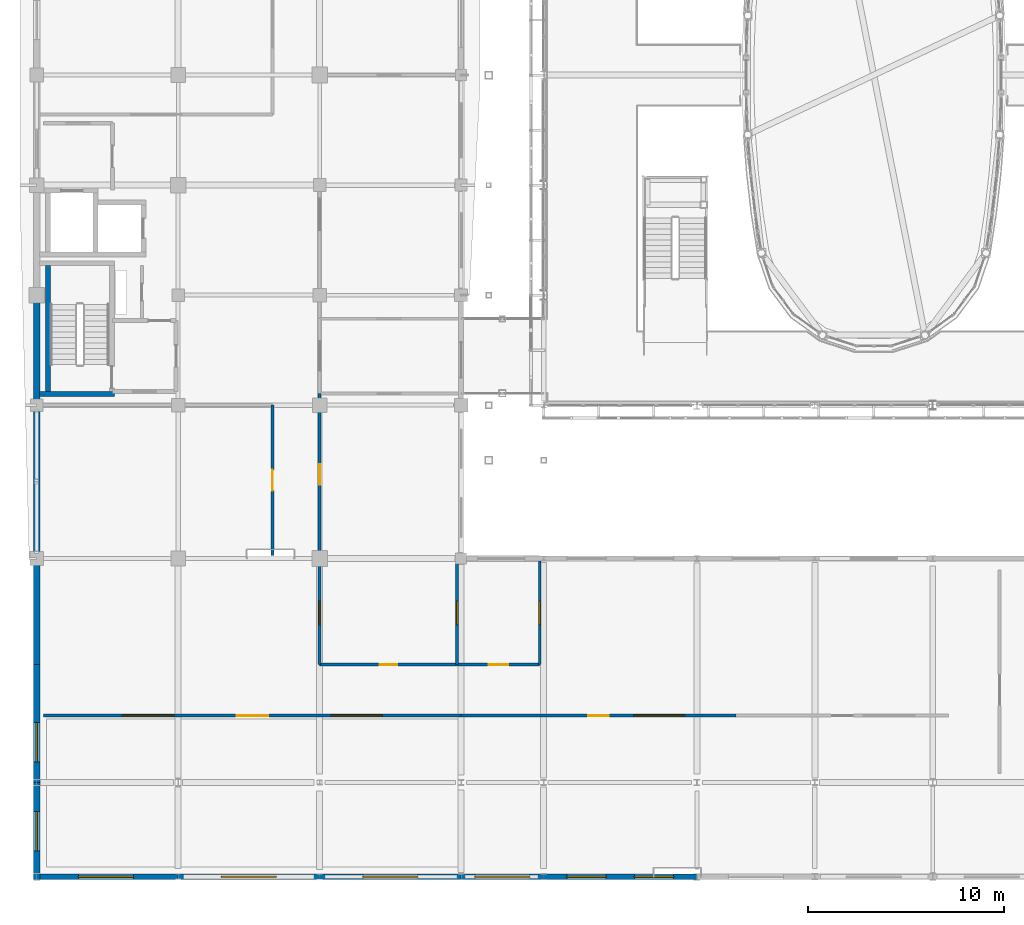
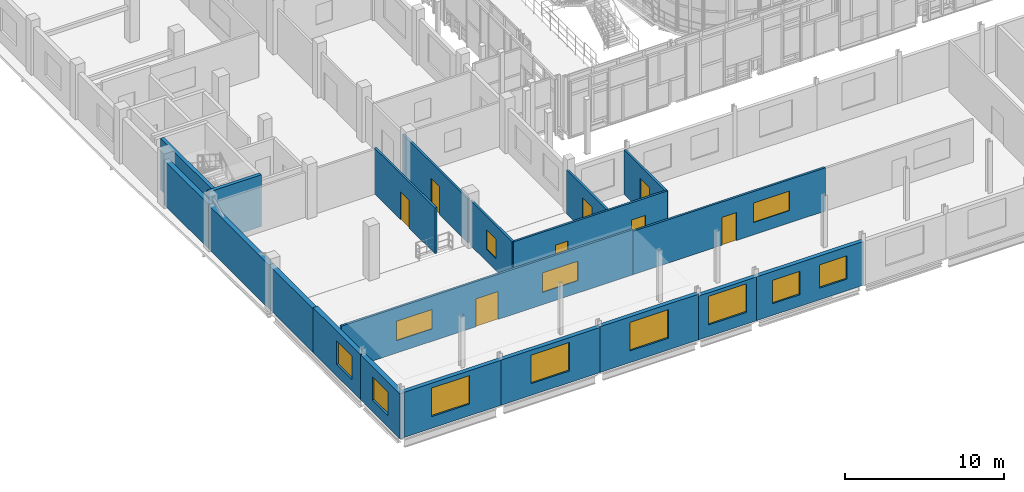
# One storey, part 92 of 121: 20 walls, 14 windows, 6 doors, 20 openings.
"""IFC4 building model written with IfcOpenShell, lengths in metres."""

from ifc_helpers import new_model, si_unit, direction, frame, frame_2d, origin, place, context, subcontext, project, spatial, rectangle, extrude, material, layer, layer_set, type_object, element, fill, save


model = new_model("IFC4")

# Units and contexts
model_context = context("Model", 3, precision=1e-05, world=origin(), true_north=direction((0.0, 1.0)))
body_context = subcontext(model_context, "Body", "Model", "MODEL_VIEW")
ifc_project = project(units=[si_unit("LENGTHUNIT", "METRE"), si_unit("AREAUNIT", "SQUARE_METRE"), si_unit("VOLUMEUNIT", "CUBIC_METRE"), si_unit("PLANEANGLEUNIT", "RADIAN"), si_unit("MASSUNIT", "GRAM", prefix="KILO")], contexts=[model_context])

# Site, building, storey
site_placement = place(None, origin())
site = spatial("IfcSite", under=ifc_project, at=site_placement, CompositionType="ELEMENT")
building_placement = place(site_placement, origin())
building = spatial("IfcBuilding", under=site, at=building_placement, Name="Vinh Khe Railworks Police Headquarters", CompositionType="ELEMENT")
storey_placement = place(building_placement, frame((0.0, 0.0, 4.800048828125)))
storey = spatial("IfcBuildingStorey", under=building, at=storey_placement, Name="L01", CompositionType="ELEMENT", Elevation=4.800048828125)

# Walls
ifc_material_1 = material(Name="Concrete C40/50 (B40)", Category="concrete")
ifc_layer_1 = layer(ifc_material_1, 0.25)
ifc_layer_set_1 = layer_set([ifc_layer_1], Name="Concrete C40/50 (B40)")
wall_type_1 = type_object("IfcWallType", Name="Core Shear Wall 250", PredefinedType="SHEAR", material=ifc_layer_set_1)
wall_1_placement = place(storey_placement, frame((0.75, 25.77490234375, 0.0), z_axis=(0.0, 0.0, 1.0), x_axis=(1.0, 0.0, 0.0)))
element("IfcWall", 1, at=wall_1_placement, inside=storey, type_object=wall_type_1, Name="Core C1 STAIR-S Shear Wall (L01)", PredefinedType="SHEAR", context=body_context, shape_type="SweptSolid", body=[
    extrude(rectangle(XDim=3.800048828125, YDim=0.25, at=frame_2d((1.89990234375, 0.0))), origin(), (0.0, 0.0, 1.0), 3.97998046875),
])
wall_2_placement = place(storey_placement, frame((1.175048828125, 25.89990234375, 0.0), z_axis=(0.0, 0.0, 1.0), x_axis=(0.0, 1.0, 0.0)))
element("IfcWall", 2, at=wall_2_placement, inside=storey, type_object=wall_type_1, Name="Core C1 STAIR-W Shear Wall (L01)", PredefinedType="SHEAR", context=body_context, shape_type="SweptSolid", body=[
    extrude(rectangle(XDim=6.400146484375, YDim=0.25, at=frame_2d((3.2001953125, 0.0))), origin(), (0.0, 0.0, 1.0), 3.97998046875),
])

# Wall, opening, window
ifc_material_2 = material(Name="Clay brickwork", Category="masonry")
ifc_layer_2 = layer(ifc_material_2, 0.300048828125)
ifc_layer_set_2 = layer_set([ifc_layer_2], Name="Clay brickwork")
wall_type_2 = type_object("IfcWallType", Name="EW-BRK-300", PredefinedType="SOLIDWALL", material=ifc_layer_set_2)
wall_3_placement = place(storey_placement, frame((0.449951171875, 1.199951171875, 0.0), z_axis=(0.0, 0.0, 1.0), x_axis=(1.0, 0.0, 0.0)))
wall_3 = element("IfcWall", 3, at=wall_3_placement, inside=storey, type_object=wall_type_2, Name="Exterior Brick Wall EW-L01-V4S-01", PredefinedType="SOLIDWALL", context=body_context, shape_type="SweptSolid", body=[
    extrude(rectangle(XDim=7.35009765625, YDim=0.300048828125, at=frame_2d((3.675048828125, 0.0))), origin(), (0.0, 0.0, 1.0), 3.474853515625),
])
opening_1_placement = place(wall_3_placement, frame((2.27490234375, 0.0, 0.89990234375)))
opening_1 = element("IfcOpeningElement", 4, at=opening_1_placement, cuts=wall_3, Name="Opening WN-01", PredefinedType="OPENING", context=body_context, shape_type="SweptSolid", body=[
    extrude(rectangle(XDim=2.800048828125, YDim=2.199951171875, at=frame_2d((1.39990234375, 1.10009765625))), frame((0.0, 0.1650390625, 0.0), z_axis=(0.0, -1.0, 0.0), x_axis=(1.0, 0.0, 0.0)), (0.0, 0.0, 1.0), 0.329833984375),
])
ifc_material_3 = material(Name="Double-glazed solar-control glass in dark steel frame", Category="steel")
window_type_1 = type_object("IfcWindowType", Name="WIN-WN-01", PartitioningType="DOUBLE_PANEL_VERTICAL", PredefinedType="WINDOW", material=ifc_material_3)
window_1_placement = place(opening_1_placement, origin())
window_1 = element("IfcWindow", 5, at=window_1_placement, inside=storey, type_object=window_type_1, Name="Casement Window WN-01", OverallHeight=2.199951171875, OverallWidth=2.800048828125, PartitioningType="SINGLE_PANEL", PredefinedType="WINDOW", context=body_context, shape_type="SweptSolid", body=[
    extrude(rectangle(XDim=2.800048828125, YDim=2.199951171875, at=frame_2d((1.39990234375, 1.10009765625))), frame((0.0, 0.030029296875, 0.0), z_axis=(0.0, -1.0, 0.0), x_axis=(1.0, 0.0, 0.0)), (0.0, 0.0, 1.0), 0.06005859375),
])
fill(opening_1, window_1)

wall_4_placement = place(storey_placement, frame((7.800048828125, 1.199951171875, 0.0), z_axis=(0.0, 0.0, 1.0), x_axis=(1.0, 0.0, 0.0)))
wall_4 = element("IfcWall", 6, at=wall_4_placement, inside=storey, type_object=wall_type_2, Name="Exterior Brick Wall EW-L01-V4S-02", PredefinedType="SOLIDWALL", context=body_context, shape_type="SweptSolid", body=[
    extrude(rectangle(XDim=7.199951171875, YDim=0.300048828125, at=frame_2d((3.60009765625, 0.0))), origin(), (0.0, 0.0, 1.0), 3.474853515625),
])
opening_2_placement = place(wall_4_placement, frame((2.199951171875, 0.0, 0.89990234375)))
opening_2 = element("IfcOpeningElement", 7, at=opening_2_placement, cuts=wall_4, Name="Opening WN-01", PredefinedType="OPENING", context=body_context, shape_type="SweptSolid", body=[
    extrude(rectangle(XDim=2.800048828125, YDim=2.199951171875, at=frame_2d((1.39990234375, 1.10009765625))), frame((0.0, 0.1650390625, 0.0), z_axis=(0.0, -1.0, 0.0), x_axis=(1.0, 0.0, 0.0)), (0.0, 0.0, 1.0), 0.329833984375),
])
window_2_placement = place(opening_2_placement, origin())
window_2 = element("IfcWindow", 8, at=window_2_placement, inside=storey, type_object=window_type_1, Name="Casement Window WN-01", OverallHeight=2.199951171875, OverallWidth=2.800048828125, PartitioningType="SINGLE_PANEL", PredefinedType="WINDOW", context=body_context, shape_type="SweptSolid", body=[
    extrude(rectangle(XDim=2.800048828125, YDim=2.199951171875, at=frame_2d((1.39990234375, 1.10009765625))), frame((0.0, 0.030029296875, 0.0), z_axis=(0.0, -1.0, 0.0), x_axis=(1.0, 0.0, 0.0)), (0.0, 0.0, 1.0), 0.06005859375),
])
fill(opening_2, window_2)

wall_5_placement = place(storey_placement, frame((15.0, 1.199951171875, 0.0), z_axis=(0.0, 0.0, 1.0), x_axis=(1.0, 0.0, 0.0)))
wall_5 = element("IfcWall", 9, at=wall_5_placement, inside=storey, type_object=wall_type_2, Name="Exterior Brick Wall EW-L01-V4S-03", PredefinedType="SOLIDWALL", context=body_context, shape_type="SweptSolid", body=[
    extrude(rectangle(XDim=7.199951171875, YDim=0.300048828125, at=frame_2d((3.60009765625, 0.0))), origin(), (0.0, 0.0, 1.0), 3.52490234375),
])
opening_3_placement = place(wall_5_placement, frame((2.199951171875, 0.0, 0.89990234375)))
opening_3 = element("IfcOpeningElement", 10, at=opening_3_placement, cuts=wall_5, Name="Opening WN-01", PredefinedType="OPENING", context=body_context, shape_type="SweptSolid", body=[
    extrude(rectangle(XDim=2.800048828125, YDim=2.199951171875, at=frame_2d((1.39990234375, 1.10009765625))), frame((0.0, 0.1650390625, 0.0), z_axis=(0.0, -1.0, 0.0), x_axis=(1.0, 0.0, 0.0)), (0.0, 0.0, 1.0), 0.329833984375),
])
window_3_placement = place(opening_3_placement, origin())
window_3 = element("IfcWindow", 11, at=window_3_placement, inside=storey, type_object=window_type_1, Name="Casement Window WN-01", OverallHeight=2.199951171875, OverallWidth=2.800048828125, PartitioningType="SINGLE_PANEL", PredefinedType="WINDOW", context=body_context, shape_type="SweptSolid", body=[
    extrude(rectangle(XDim=2.800048828125, YDim=2.199951171875, at=frame_2d((1.39990234375, 1.10009765625))), frame((0.0, 0.030029296875, 0.0), z_axis=(0.0, -1.0, 0.0), x_axis=(1.0, 0.0, 0.0)), (0.0, 0.0, 1.0), 0.06005859375),
])
fill(opening_3, window_3)

wall_6_placement = place(storey_placement, frame((22.199951171875, 1.199951171875, 0.0), z_axis=(0.0, 0.0, 1.0), x_axis=(1.0, 0.0, 0.0)))
wall_6 = element("IfcWall", 12, at=wall_6_placement, inside=storey, type_object=wall_type_2, Name="Exterior Brick Wall EW-L01-V4S-04", PredefinedType="SOLIDWALL", context=body_context, shape_type="SweptSolid", body=[
    extrude(rectangle(XDim=4.199951171875, YDim=0.300048828125, at=frame_2d((2.10009765625, 0.0))), origin(), (0.0, 0.0, 1.0), 3.375),
])
opening_4_placement = place(wall_6_placement, frame((0.699951171875, 0.0, 0.89990234375)))
opening_4 = element("IfcOpeningElement", 13, at=opening_4_placement, cuts=wall_6, Name="Opening WN-01", PredefinedType="OPENING", context=body_context, shape_type="SweptSolid", body=[
    extrude(rectangle(XDim=2.800048828125, YDim=2.199951171875, at=frame_2d((1.39990234375, 1.10009765625))), frame((0.0, 0.1650390625, 0.0), z_axis=(0.0, -1.0, 0.0), x_axis=(1.0, 0.0, 0.0)), (0.0, 0.0, 1.0), 0.329833984375),
])
window_4_placement = place(opening_4_placement, origin())
window_4 = element("IfcWindow", 14, at=window_4_placement, inside=storey, type_object=window_type_1, Name="Casement Window WN-01", OverallHeight=2.199951171875, OverallWidth=2.800048828125, PartitioningType="SINGLE_PANEL", PredefinedType="WINDOW", context=body_context, shape_type="SweptSolid", body=[
    extrude(rectangle(XDim=2.800048828125, YDim=2.199951171875, at=frame_2d((1.39990234375, 1.10009765625))), frame((0.0, 0.030029296875, 0.0), z_axis=(0.0, -1.0, 0.0), x_axis=(1.0, 0.0, 0.0)), (0.0, 0.0, 1.0), 0.06005859375),
])
fill(opening_4, window_4)

# Wall, openings, windows
wall_7_placement = place(storey_placement, frame((26.39990234375, 1.199951171875, 0.0), z_axis=(0.0, 0.0, 1.0), x_axis=(1.0, 0.0, 0.0)))
wall_7 = element("IfcWall", 15, at=wall_7_placement, inside=storey, type_object=wall_type_2, Name="Exterior Brick Wall EW-L01-V4S-05", PredefinedType="SOLIDWALL", context=body_context, shape_type="SweptSolid", body=[
    extrude(rectangle(XDim=7.800048828125, YDim=0.300048828125, at=frame_2d((3.89990234375, 0.0))), origin(), (0.0, 0.0, 1.0), 3.375),
])
opening_5_placement = place(wall_7_placement, frame((1.18408203125, 0.0, 0.89990234375)))
opening_5 = element("IfcOpeningElement", 16, at=opening_5_placement, cuts=wall_7, Name="Opening WN-04", PredefinedType="OPENING", context=body_context, shape_type="SweptSolid", body=[
    extrude(rectangle(XDim=2.0, YDim=1.800048828125, at=frame_2d((1.0, 0.89990234375))), frame((0.0, 0.1650390625, 0.0), z_axis=(0.0, -1.0, 0.0), x_axis=(1.0, 0.0, 0.0)), (0.0, 0.0, 1.0), 0.329833984375),
])
opening_6_placement = place(wall_7_placement, frame((4.615966796875, 0.0, 0.89990234375)))
opening_6 = element("IfcOpeningElement", 17, at=opening_6_placement, cuts=wall_7, Name="Opening WN-04", PredefinedType="OPENING", context=body_context, shape_type="SweptSolid", body=[
    extrude(rectangle(XDim=2.0, YDim=1.800048828125, at=frame_2d((1.0, 0.89990234375))), frame((0.0, 0.1650390625, 0.0), z_axis=(0.0, -1.0, 0.0), x_axis=(1.0, 0.0, 0.0)), (0.0, 0.0, 1.0), 0.329833984375),
])
window_type_2 = type_object("IfcWindowType", Name="WIN-WN-04", PartitioningType="DOUBLE_PANEL_VERTICAL", PredefinedType="WINDOW", material=ifc_material_3)
window_5_placement = place(opening_5_placement, origin())
window_5 = element("IfcWindow", 18, at=window_5_placement, inside=storey, type_object=window_type_2, Name="Casement Window WN-04", OverallHeight=1.800048828125, OverallWidth=2.0, PartitioningType="SINGLE_PANEL", PredefinedType="WINDOW", context=body_context, shape_type="SweptSolid", body=[
    extrude(rectangle(XDim=2.0, YDim=1.800048828125, at=frame_2d((1.0, 0.89990234375))), frame((0.0, 0.030029296875, 0.0), z_axis=(0.0, -1.0, 0.0), x_axis=(1.0, 0.0, 0.0)), (0.0, 0.0, 1.0), 0.06005859375),
])
fill(opening_5, window_5)
window_6_placement = place(opening_6_placement, origin())
window_6 = element("IfcWindow", 19, at=window_6_placement, inside=storey, type_object=window_type_2, Name="Casement Window WN-04", OverallHeight=1.800048828125, OverallWidth=2.0, PartitioningType="SINGLE_PANEL", PredefinedType="WINDOW", context=body_context, shape_type="SweptSolid", body=[
    extrude(rectangle(XDim=2.0, YDim=1.800048828125, at=frame_2d((1.0, 0.89990234375))), frame((0.0, 0.030029296875, 0.0), z_axis=(0.0, -1.0, 0.0), x_axis=(1.0, 0.0, 0.0)), (0.0, 0.0, 1.0), 0.06005859375),
])
fill(opening_6, window_6)

# Wall, opening, window
ifc_layer_3 = layer(ifc_material_2, 0.340087890625)
ifc_layer_set_3 = layer_set([ifc_layer_3], Name="Clay brickwork")
wall_type_3 = type_object("IfcWallType", Name="EW-BRK-340", PredefinedType="SOLIDWALL", material=ifc_layer_set_3)
wall_8_placement = place(storey_placement, frame((0.60009765625, 1.030029296875, 0.0), z_axis=(0.0, 0.0, 1.0), x_axis=(0.0, 1.0, 0.0)))
wall_8 = element("IfcWall", 20, at=wall_8_placement, inside=storey, type_object=wall_type_3, Name="Exterior Brick Wall EW-L01-V4W-01", PredefinedType="SOLIDWALL", context=body_context, shape_type="SweptSolid", body=[
    extrude(rectangle(XDim=4.969970703125, YDim=0.340087890625, at=frame_2d((2.48486328125, 0.0))), origin(), (0.0, 0.0, 1.0), 3.474853515625),
])
opening_7_placement = place(wall_8_placement, frame((1.485107421875, 0.0, 0.89990234375)))
opening_7 = element("IfcOpeningElement", 21, at=opening_7_placement, cuts=wall_8, Name="Opening WN-04", PredefinedType="OPENING", context=body_context, shape_type="SweptSolid", body=[
    extrude(rectangle(XDim=2.0, YDim=1.800048828125, at=frame_2d((1.0, 0.89990234375))), frame((0.0, 0.18505859375, 0.0), z_axis=(0.0, -1.0, 0.0), x_axis=(1.0, 0.0, 0.0)), (0.0, 0.0, 1.0), 0.369873046875),
])
window_7_placement = place(opening_7_placement, origin())
window_7 = element("IfcWindow", 22, at=window_7_placement, inside=storey, type_object=window_type_2, Name="Casement Window WN-04", OverallHeight=1.800048828125, OverallWidth=2.0, PartitioningType="SINGLE_PANEL", PredefinedType="WINDOW", context=body_context, shape_type="SweptSolid", body=[
    extrude(rectangle(XDim=2.0, YDim=1.800048828125, at=frame_2d((1.0, 0.89990234375))), frame((0.0, 0.030029296875, 0.0), z_axis=(0.0, -1.0, 0.0), x_axis=(1.0, 0.0, 0.0)), (0.0, 0.0, 1.0), 0.06005859375),
])
fill(opening_7, window_7)

wall_9_placement = place(storey_placement, frame((0.60009765625, 6.0, 0.0), z_axis=(0.0, 0.0, 1.0), x_axis=(0.0, 1.0, 0.0)))
wall_9 = element("IfcWall", 23, at=wall_9_placement, inside=storey, type_object=wall_type_3, Name="Exterior Brick Wall EW-L01-V4W-02", PredefinedType="SOLIDWALL", context=body_context, shape_type="SweptSolid", body=[
    extrude(rectangle(XDim=6.0, YDim=0.340087890625, at=frame_2d((3.0, 0.0))), origin(), (0.0, 0.0, 1.0), 3.474853515625),
])
opening_8_placement = place(wall_9_placement, frame((1.050048828125, 0.0, 0.89990234375)))
opening_8 = element("IfcOpeningElement", 24, at=opening_8_placement, cuts=wall_9, Name="Opening WN-04", PredefinedType="OPENING", context=body_context, shape_type="SweptSolid", body=[
    extrude(rectangle(XDim=2.0, YDim=1.800048828125, at=frame_2d((1.0, 0.89990234375))), frame((0.0, 0.18505859375, 0.0), z_axis=(0.0, -1.0, 0.0), x_axis=(1.0, 0.0, 0.0)), (0.0, 0.0, 1.0), 0.369873046875),
])
window_8_placement = place(opening_8_placement, origin())
window_8 = element("IfcWindow", 25, at=window_8_placement, inside=storey, type_object=window_type_2, Name="Casement Window WN-04", OverallHeight=1.800048828125, OverallWidth=2.0, PartitioningType="SINGLE_PANEL", PredefinedType="WINDOW", context=body_context, shape_type="SweptSolid", body=[
    extrude(rectangle(XDim=2.0, YDim=1.800048828125, at=frame_2d((1.0, 0.89990234375))), frame((0.0, 0.030029296875, 0.0), z_axis=(0.0, -1.0, 0.0), x_axis=(1.0, 0.0, 0.0)), (0.0, 0.0, 1.0), 0.06005859375),
])
fill(opening_8, window_8)

# Walls
wall_10_placement = place(storey_placement, frame((0.60009765625, 12.0, 0.0), z_axis=(0.0, 0.0, 1.0), x_axis=(0.0, 1.0, 0.0)))
element("IfcWall", 26, at=wall_10_placement, inside=storey, type_object=wall_type_3, Name="Exterior Brick Wall EW-L01-V4W-03", PredefinedType="SOLIDWALL", context=body_context, shape_type="SweptSolid", body=[
    extrude(rectangle(XDim=5.570068359375, YDim=0.340087890625, at=frame_2d((2.78515625, 0.0))), origin(), (0.0, 0.0, 1.0), 3.375),
])
wall_11_placement = place(storey_placement, frame((0.60009765625, 17.22998046875, 0.0), z_axis=(0.0, 0.0, 1.0), x_axis=(0.0, 1.0, 0.0)))
element("IfcWall", 27, at=wall_11_placement, inside=storey, type_object=wall_type_3, Name="Exterior Brick Wall EW-L01-V5W-01", PredefinedType="SOLIDWALL", context=body_context, shape_type="SweptSolid", body=[
    extrude(rectangle(XDim=7.969970703125, YDim=0.340087890625, at=frame_2d((3.98486328125, 0.0))), origin(), (0.0, 0.0, 1.0), 3.375),
])
wall_12_placement = place(storey_placement, frame((0.60009765625, 25.199951171875, 0.0), z_axis=(0.0, 0.0, 1.0), x_axis=(0.0, 1.0, 0.0)))
element("IfcWall", 28, at=wall_12_placement, inside=storey, type_object=wall_type_3, Name="Exterior Brick Wall EW-L01-V5W-02", PredefinedType="SOLIDWALL", context=body_context, shape_type="SweptSolid", body=[
    extrude(rectangle(XDim=5.60009765625, YDim=0.340087890625, at=frame_2d((2.800048828125, 0.0))), origin(), (0.0, 0.0, 1.0), 3.425048828125),
])

# Wall, opening, window
ifc_material_4 = material(Name="Gypsum plasterboard on steel stud", Category="steel")
ifc_layer_4 = layer(ifc_material_4, 0.1201171875)
ifc_layer_set_4 = layer_set([ifc_layer_4], Name="Gypsum plasterboard on steel stud")
wall_type_4 = type_object("IfcWallType", Name="IW-PART-120", PredefinedType="PARTITIONING", material=ifc_layer_set_4)
wall_13_placement = place(storey_placement, frame((22.0, 12.0, 0.0), z_axis=(0.0, 0.0, 1.0), x_axis=(0.0, 1.0, 0.0)))
wall_13 = element("IfcWall", 29, at=wall_13_placement, inside=storey, type_object=wall_type_4, Name="Interior Partition W-L01-V4-WCM", PredefinedType="PARTITIONING", context=body_context, shape_type="SweptSolid", body=[
    extrude(rectangle(XDim=5.260009765625, YDim=0.14990234375, at=frame_2d((2.6298828125, 0.0))), origin(), (0.0, 0.0, 1.0), 3.375),
])
opening_9_placement = place(wall_13_placement, frame((2.030029296875, 0.0, 0.949951171875)))
opening_9 = element("IfcOpeningElement", 30, at=opening_9_placement, cuts=wall_13, Name="Opening WN-10", PredefinedType="OPENING", context=body_context, shape_type="SweptSolid", body=[
    extrude(rectangle(XDim=1.199951171875, YDim=1.5, at=frame_2d((0.60009765625, 0.75))), frame((0.0, 0.08984375, 0.0), z_axis=(0.0, -1.0, 0.0), x_axis=(1.0, 0.0, 0.0)), (0.0, 0.0, 1.0), 0.1796875),
])
window_type_3 = type_object("IfcWindowType", Name="WIN-WN-10", PartitioningType="SINGLE_PANEL", PredefinedType="WINDOW", material=ifc_material_3)
window_9_placement = place(opening_9_placement, origin())
window_9 = element("IfcWindow", 31, at=window_9_placement, inside=storey, type_object=window_type_3, Name="Interior Acoustic Vision Window WN-10", OverallHeight=1.5, OverallWidth=1.199951171875, PartitioningType="SINGLE_PANEL", PredefinedType="WINDOW", context=body_context, shape_type="SweptSolid", body=[
    extrude(rectangle(XDim=1.199951171875, YDim=1.5, at=frame_2d((0.60009765625, 0.75))), frame((0.0, 0.030029296875, 0.0), z_axis=(0.0, -1.0, 0.0), x_axis=(1.0, 0.0, 0.0)), (0.0, 0.0, 1.0), 0.06005859375),
])
fill(opening_9, window_9)

# Wall, openings, door, windows
ifc_material_5 = material(Name="Gypsum plasterboard on acoustic steel stud", Category="steel")
ifc_layer_5 = layer(ifc_material_5, 0.14990234375)
ifc_layer_set_5 = layer_set([ifc_layer_5], Name="Gypsum plasterboard on acoustic steel stud")
wall_type_5 = type_object("IfcWallType", Name="IW-PART-150", PredefinedType="PARTITIONING", material=ifc_layer_set_5)
wall_14_placement = place(storey_placement, frame((0.949951171875, 9.39990234375, 0.0), z_axis=(0.0, 0.0, 1.0), x_axis=(1.0, 0.0, 0.0)))
wall_14 = element("IfcWall", 32, at=wall_14_placement, inside=storey, type_object=wall_type_5, Name="Interior Partition W-L01-V4-PRESS", PredefinedType="PARTITIONING", context=body_context, shape_type="SweptSolid", body=[
    extrude(rectangle(XDim=21.25, YDim=0.14990234375, at=frame_2d((10.625, 0.0))), origin(), (0.0, 0.0, 1.0), 3.474853515625),
])
opening_10_placement = place(wall_14_placement, frame((9.824951171875, 0.0, 0.0)))
opening_10 = element("IfcOpeningElement", 33, at=opening_10_placement, cuts=wall_14, Name="Opening D-03", PredefinedType="OPENING", context=body_context, shape_type="SweptSolid", body=[
    extrude(rectangle(XDim=1.60009765625, YDim=2.14990234375, at=frame_2d((0.800048828125, 1.074951171875))), frame((0.0, 0.08984375, 0.0), z_axis=(0.0, -1.0, 0.0), x_axis=(1.0, 0.0, 0.0)), (0.0, 0.0, 1.0), 0.1796875),
])
opening_11_placement = place(wall_14_placement, frame((4.012451171875, 0.0, 0.949951171875)))
opening_11 = element("IfcOpeningElement", 34, at=opening_11_placement, cuts=wall_14, Name="Opening WN-07", PredefinedType="OPENING", context=body_context, shape_type="SweptSolid", body=[
    extrude(rectangle(XDim=2.60009765625, YDim=1.5, at=frame_2d((1.300048828125, 0.75))), frame((0.0, 0.08984375, 0.0), z_axis=(0.0, -1.0, 0.0), x_axis=(1.0, 0.0, 0.0)), (0.0, 0.0, 1.0), 0.1796875),
])
opening_12_placement = place(wall_14_placement, frame((14.637451171875, 0.0, 0.949951171875)))
opening_12 = element("IfcOpeningElement", 35, at=opening_12_placement, cuts=wall_14, Name="Opening WN-07", PredefinedType="OPENING", context=body_context, shape_type="SweptSolid", body=[
    extrude(rectangle(XDim=2.60009765625, YDim=1.5, at=frame_2d((1.300048828125, 0.75))), frame((0.0, 0.08984375, 0.0), z_axis=(0.0, -1.0, 0.0), x_axis=(1.0, 0.0, 0.0)), (0.0, 0.0, 1.0), 0.1796875),
])
ifc_material_6 = material(Name="Painted galvanised steel", Category="steel")
door_type_1 = type_object("IfcDoorType", Name="ID-1600x2150", OperationType="DOUBLE_DOOR_SINGLE_SWING", PredefinedType="DOOR", material=ifc_material_6)
door_1_placement = place(opening_10_placement, origin())
door_1 = element("IfcDoor", 36, at=door_1_placement, inside=storey, type_object=door_type_1, Name="Press and Media Briefing Hall Door", OperationType="DOUBLE_DOOR_SINGLE_SWING", OverallHeight=2.14990234375, OverallWidth=1.60009765625, PredefinedType="DOOR", context=body_context, shape_type="SweptSolid", body=[
    extrude(rectangle(XDim=1.60009765625, YDim=2.14990234375, at=frame_2d((0.800048828125, 1.074951171875))), frame((0.0, 0.02490234375, 0.0), z_axis=(0.0, -1.0, 0.0), x_axis=(1.0, 0.0, 0.0)), (0.0, 0.0, 1.0), 0.050048828125),
])
fill(opening_10, door_1)
window_type_4 = type_object("IfcWindowType", Name="WIN-WN-07", PartitioningType="DOUBLE_PANEL_HORIZONTAL", PredefinedType="WINDOW", material=ifc_material_3)
window_10_placement = place(opening_11_placement, origin())
window_10 = element("IfcWindow", 37, at=window_10_placement, inside=storey, type_object=window_type_4, Name="Interior Acoustic Vision Window WN-07", OverallHeight=1.5, OverallWidth=2.60009765625, PartitioningType="SINGLE_PANEL", PredefinedType="WINDOW", context=body_context, shape_type="SweptSolid", body=[
    extrude(rectangle(XDim=2.60009765625, YDim=1.5, at=frame_2d((1.300048828125, 0.75))), frame((0.0, 0.030029296875, 0.0), z_axis=(0.0, -1.0, 0.0), x_axis=(1.0, 0.0, 0.0)), (0.0, 0.0, 1.0), 0.06005859375),
])
fill(opening_11, window_10)
window_11_placement = place(opening_12_placement, origin())
window_11 = element("IfcWindow", 38, at=window_11_placement, inside=storey, type_object=window_type_4, Name="Interior Acoustic Vision Window WN-07", OverallHeight=1.5, OverallWidth=2.60009765625, PartitioningType="SINGLE_PANEL", PredefinedType="WINDOW", context=body_context, shape_type="SweptSolid", body=[
    extrude(rectangle(XDim=2.60009765625, YDim=1.5, at=frame_2d((1.300048828125, 0.75))), frame((0.0, 0.030029296875, 0.0), z_axis=(0.0, -1.0, 0.0), x_axis=(1.0, 0.0, 0.0)), (0.0, 0.0, 1.0), 0.06005859375),
])
fill(opening_12, window_11)

# Wall, openings, door, window
wall_15_placement = place(storey_placement, frame((22.199951171875, 9.39990234375, 0.0), z_axis=(0.0, 0.0, 1.0), x_axis=(1.0, 0.0, 0.0)))
wall_15 = element("IfcWall", 39, at=wall_15_placement, inside=storey, type_object=wall_type_5, Name="Interior Partition W-L01-V4-MED", PredefinedType="PARTITIONING", context=body_context, shape_type="SweptSolid", body=[
    extrude(rectangle(XDim=14.0, YDim=0.14990234375, at=frame_2d((7.0, 0.0))), origin(), (0.0, 0.0, 1.0), 3.3349609375),
])
opening_13_placement = place(wall_15_placement, frame((6.47509765625, 0.0, 0.0)))
opening_13 = element("IfcOpeningElement", 40, at=opening_13_placement, cuts=wall_15, Name="Opening D-02", PredefinedType="OPENING", context=body_context, shape_type="SweptSolid", body=[
    extrude(rectangle(XDim=1.050048828125, YDim=2.14990234375, at=frame_2d((0.52490234375, 1.074951171875))), frame((0.0, 0.08984375, 0.0), z_axis=(0.0, -1.0, 0.0), x_axis=(1.0, 0.0, 0.0)), (0.0, 0.0, 1.0), 0.1796875),
])
opening_14_placement = place(wall_15_placement, frame((8.780029296875, 0.0, 0.949951171875)))
opening_14 = element("IfcOpeningElement", 41, at=opening_14_placement, cuts=wall_15, Name="Opening WN-07", PredefinedType="OPENING", context=body_context, shape_type="SweptSolid", body=[
    extrude(rectangle(XDim=2.60009765625, YDim=1.5, at=frame_2d((1.300048828125, 0.75))), frame((0.0, 0.08984375, 0.0), z_axis=(0.0, -1.0, 0.0), x_axis=(1.0, 0.0, 0.0)), (0.0, 0.0, 1.0), 0.1796875),
])
ifc_material_7 = material(Name="Seasoned hardwood timber", Category="wood")
door_type_2 = type_object("IfcDoorType", Name="ID-1050x2150", OperationType="NOTDEFINED", PredefinedType="DOOR", material=ifc_material_7)
door_2_placement = place(opening_13_placement, origin())
door_2 = element("IfcDoor", 42, at=door_2_placement, inside=storey, type_object=door_type_2, Name="Community Mediation Suite Door", OperationType="SINGLE_SWING_RIGHT", OverallHeight=2.14990234375, OverallWidth=1.050048828125, PredefinedType="DOOR", context=body_context, shape_type="SweptSolid", body=[
    extrude(rectangle(XDim=1.050048828125, YDim=2.14990234375, at=frame_2d((0.52490234375, 1.074951171875))), frame((0.0, 0.02490234375, 0.0), z_axis=(0.0, -1.0, 0.0), x_axis=(1.0, 0.0, 0.0)), (0.0, 0.0, 1.0), 0.050048828125),
])
fill(opening_13, door_2)
window_12_placement = place(opening_14_placement, origin())
window_12 = element("IfcWindow", 43, at=window_12_placement, inside=storey, type_object=window_type_4, Name="Interior Acoustic Vision Window WN-07", OverallHeight=1.5, OverallWidth=2.60009765625, PartitioningType="SINGLE_PANEL", PredefinedType="WINDOW", context=body_context, shape_type="SweptSolid", body=[
    extrude(rectangle(XDim=2.60009765625, YDim=1.5, at=frame_2d((1.300048828125, 0.75))), frame((0.0, 0.030029296875, 0.0), z_axis=(0.0, -1.0, 0.0), x_axis=(1.0, 0.0, 0.0)), (0.0, 0.0, 1.0), 0.06005859375),
])
fill(opening_14, window_12)

# Wall, openings, doors
wall_16_placement = place(storey_placement, frame((15.0, 12.0, 0.0), z_axis=(0.0, 0.0, 1.0), x_axis=(1.0, 0.0, 0.0)))
wall_16 = element("IfcWall", 44, at=wall_16_placement, inside=storey, type_object=wall_type_5, Name="Interior Partition W-L01-V4-WCS", PredefinedType="PARTITIONING", context=body_context, shape_type="SweptSolid", body=[
    extrude(rectangle(XDim=11.199951171875, YDim=0.14990234375, at=frame_2d((5.60009765625, 0.0))), origin(), (0.0, 0.0, 1.0), 3.474853515625),
])
opening_15_placement = place(wall_16_placement, frame((3.050048828125, 0.0, 0.0)))
opening_15 = element("IfcOpeningElement", 45, at=opening_15_placement, cuts=wall_16, Name="Opening D-04", PredefinedType="OPENING", context=body_context, shape_type="SweptSolid", body=[
    extrude(rectangle(XDim=0.89990234375, YDim=2.14990234375, at=frame_2d((0.449951171875, 1.074951171875))), frame((0.0, 0.08984375, 0.0), z_axis=(0.0, -1.0, 0.0), x_axis=(1.0, 0.0, 0.0)), (0.0, 0.0, 1.0), 0.1796875),
])
opening_16_placement = place(wall_16_placement, frame((8.60009765625, 0.0, 0.0)))
opening_16 = element("IfcOpeningElement", 46, at=opening_16_placement, cuts=wall_16, Name="Opening D-05", PredefinedType="OPENING", context=body_context, shape_type="SweptSolid", body=[
    extrude(rectangle(XDim=1.0, YDim=2.14990234375, at=frame_2d((0.5, 1.074951171875))), frame((0.0, 0.08984375, 0.0), z_axis=(0.0, -1.0, 0.0), x_axis=(1.0, 0.0, 0.0)), (0.0, 0.0, 1.0), 0.1796875),
])
door_type_3 = type_object("IfcDoorType", Name="ID-1000x2150", OperationType="NOTDEFINED", PredefinedType="DOOR", material=ifc_material_7)
door_3_placement = place(opening_16_placement, origin())
door_3 = element("IfcDoor", 47, at=door_3_placement, inside=storey, type_object=door_type_3, Name="Accessible WC Door", OperationType="SINGLE_SWING_RIGHT", OverallHeight=2.14990234375, OverallWidth=1.0, PredefinedType="DOOR", context=body_context, shape_type="SweptSolid", body=[
    extrude(rectangle(XDim=1.0, YDim=2.14990234375, at=frame_2d((0.5, 1.074951171875))), frame((0.0, 0.02490234375, 0.0), z_axis=(0.0, -1.0, 0.0), x_axis=(1.0, 0.0, 0.0)), (0.0, 0.0, 1.0), 0.050048828125),
])
fill(opening_16, door_3)
door_type_4 = type_object("IfcDoorType", Name="ID-900x2150", OperationType="NOTDEFINED", PredefinedType="DOOR", material=ifc_material_7)
door_4_placement = place(opening_15_placement, origin())
door_4 = element("IfcDoor", 48, at=door_4_placement, inside=storey, type_object=door_type_4, Name="Staff WC Door", OperationType="SINGLE_SWING_LEFT", OverallHeight=2.14990234375, OverallWidth=0.89990234375, PredefinedType="DOOR", context=body_context, shape_type="SweptSolid", body=[
    extrude(rectangle(XDim=0.89990234375, YDim=2.14990234375, at=frame_2d((0.449951171875, 1.074951171875))), frame((0.0, 0.02490234375, 0.0), z_axis=(0.0, -1.0, 0.0), x_axis=(1.0, 0.0, 0.0)), (0.0, 0.0, 1.0), 0.050048828125),
])
fill(opening_15, door_4)

# Wall, opening, window
wall_17_placement = place(storey_placement, frame((15.0, 12.0, 0.0), z_axis=(0.0, 0.0, 1.0), x_axis=(0.0, 1.0, 0.0)))
wall_17 = element("IfcWall", 49, at=wall_17_placement, inside=storey, type_object=wall_type_5, Name="Interior Partition W-L01-V4-WCW", PredefinedType="PARTITIONING", context=body_context, shape_type="SweptSolid", body=[
    extrude(rectangle(XDim=5.260009765625, YDim=0.14990234375, at=frame_2d((2.6298828125, 0.0))), origin(), (0.0, 0.0, 1.0), 3.474853515625),
])
opening_17_placement = place(wall_17_placement, frame((2.030029296875, 0.0, 0.949951171875)))
opening_17 = element("IfcOpeningElement", 50, at=opening_17_placement, cuts=wall_17, Name="Opening WN-10", PredefinedType="OPENING", context=body_context, shape_type="SweptSolid", body=[
    extrude(rectangle(XDim=1.199951171875, YDim=1.5, at=frame_2d((0.60009765625, 0.75))), frame((0.0, 0.08984375, 0.0), z_axis=(0.0, -1.0, 0.0), x_axis=(1.0, 0.0, 0.0)), (0.0, 0.0, 1.0), 0.1796875),
])
window_13_placement = place(opening_17_placement, origin())
window_13 = element("IfcWindow", 51, at=window_13_placement, inside=storey, type_object=window_type_3, Name="Interior Acoustic Vision Window WN-10", OverallHeight=1.5, OverallWidth=1.199951171875, PartitioningType="SINGLE_PANEL", PredefinedType="WINDOW", context=body_context, shape_type="SweptSolid", body=[
    extrude(rectangle(XDim=1.199951171875, YDim=1.5, at=frame_2d((0.60009765625, 0.75))), frame((0.0, 0.030029296875, 0.0), z_axis=(0.0, -1.0, 0.0), x_axis=(1.0, 0.0, 0.0)), (0.0, 0.0, 1.0), 0.06005859375),
])
fill(opening_17, window_13)

wall_18_placement = place(storey_placement, frame((26.199951171875, 12.0, 0.0), z_axis=(0.0, 0.0, 1.0), x_axis=(0.0, 1.0, 0.0)))
wall_18 = element("IfcWall", 52, at=wall_18_placement, inside=storey, type_object=wall_type_5, Name="Interior Partition W-L01-V4-WCE", PredefinedType="PARTITIONING", context=body_context, shape_type="SweptSolid", body=[
    extrude(rectangle(XDim=5.260009765625, YDim=0.14990234375, at=frame_2d((2.6298828125, 0.0))), origin(), (0.0, 0.0, 1.0), 3.425048828125),
])
opening_18_placement = place(wall_18_placement, frame((2.030029296875, 0.0, 0.949951171875)))
opening_18 = element("IfcOpeningElement", 53, at=opening_18_placement, cuts=wall_18, Name="Opening WN-10", PredefinedType="OPENING", context=body_context, shape_type="SweptSolid", body=[
    extrude(rectangle(XDim=1.199951171875, YDim=1.5, at=frame_2d((0.60009765625, 0.75))), frame((0.0, 0.08984375, 0.0), z_axis=(0.0, -1.0, 0.0), x_axis=(1.0, 0.0, 0.0)), (0.0, 0.0, 1.0), 0.1796875),
])
window_14_placement = place(opening_18_placement, origin())
window_14 = element("IfcWindow", 54, at=window_14_placement, inside=storey, type_object=window_type_3, Name="Interior Acoustic Vision Window WN-10", OverallHeight=1.5, OverallWidth=1.199951171875, PartitioningType="SINGLE_PANEL", PredefinedType="WINDOW", context=body_context, shape_type="SweptSolid", body=[
    extrude(rectangle(XDim=1.199951171875, YDim=1.5, at=frame_2d((0.60009765625, 0.75))), frame((0.0, 0.030029296875, 0.0), z_axis=(0.0, -1.0, 0.0), x_axis=(1.0, 0.0, 0.0)), (0.0, 0.0, 1.0), 0.06005859375),
])
fill(opening_18, window_14)

# Wall, opening, door
wall_19_placement = place(storey_placement, frame((12.60009765625, 17.56005859375, 0.0), z_axis=(0.0, 0.0, 1.0), x_axis=(0.0, 1.0, 0.0)))
wall_19 = element("IfcWall", 55, at=wall_19_placement, inside=storey, type_object=wall_type_5, Name="Interior Partition W-L01-V5-WIT1-CW", PredefinedType="PARTITIONING", context=body_context, shape_type="SweptSolid", body=[
    extrude(rectangle(XDim=7.639892578125, YDim=0.14990234375, at=frame_2d((3.81982421875, 0.0))), origin(), (0.0, 0.0, 1.0), 3.52490234375),
])
opening_19_placement = place(wall_19_placement, frame((3.294921875, 0.0, 0.0)))
opening_19 = element("IfcOpeningElement", 56, at=opening_19_placement, cuts=wall_19, Name="Opening D-02", PredefinedType="OPENING", context=body_context, shape_type="SweptSolid", body=[
    extrude(rectangle(XDim=1.050048828125, YDim=2.14990234375, at=frame_2d((0.52490234375, 1.074951171875))), frame((0.0, 0.08984375, 0.0), z_axis=(0.0, -1.0, 0.0), x_axis=(1.0, 0.0, 0.0)), (0.0, 0.0, 1.0), 0.1796875),
])
door_5_placement = place(opening_19_placement, origin())
door_5 = element("IfcDoor", 57, at=door_5_placement, inside=storey, type_object=door_type_2, Name="Witness Interview Suite A Door", OperationType="SINGLE_SWING_LEFT", OverallHeight=2.14990234375, OverallWidth=1.050048828125, PredefinedType="DOOR", context=body_context, shape_type="SweptSolid", body=[
    extrude(rectangle(XDim=1.050048828125, YDim=2.14990234375, at=frame_2d((0.52490234375, 1.074951171875))), frame((0.0, 0.02490234375, 0.0), z_axis=(0.0, -1.0, 0.0), x_axis=(1.0, 0.0, 0.0)), (0.0, 0.0, 1.0), 0.050048828125),
])
fill(opening_19, door_5)

wall_20_placement = place(storey_placement, frame((15.0, 17.56005859375, 0.0), z_axis=(0.0, 0.0, 1.0), x_axis=(0.0, 1.0, 0.0)))
wall_20 = element("IfcWall", 58, at=wall_20_placement, inside=storey, type_object=wall_type_5, Name="Interior Partition W-L01-V5-DET1S-CE", PredefinedType="PARTITIONING", context=body_context, shape_type="SweptSolid", body=[
    extrude(rectangle(XDim=8.239990234375, YDim=0.14990234375, at=frame_2d((4.1201171875, 0.0))), origin(), (0.0, 0.0, 1.0), 3.375),
])
opening_20_placement = place(wall_20_placement, frame((3.594970703125, 0.0, 0.0)))
opening_20 = element("IfcOpeningElement", 59, at=opening_20_placement, cuts=wall_20, Name="Opening D-02", PredefinedType="OPENING", context=body_context, shape_type="SweptSolid", body=[
    extrude(rectangle(XDim=1.050048828125, YDim=2.14990234375, at=frame_2d((0.52490234375, 1.074951171875))), frame((0.0, 0.08984375, 0.0), z_axis=(0.0, -1.0, 0.0), x_axis=(1.0, 0.0, 0.0)), (0.0, 0.0, 1.0), 0.1796875),
])
door_6_placement = place(opening_20_placement, origin())
door_6 = element("IfcDoor", 60, at=door_6_placement, inside=storey, type_object=door_type_2, Name="Detective Squad Workroom South A Door", OperationType="SINGLE_SWING_LEFT", OverallHeight=2.14990234375, OverallWidth=1.050048828125, PredefinedType="DOOR", context=body_context, shape_type="SweptSolid", body=[
    extrude(rectangle(XDim=1.050048828125, YDim=2.14990234375, at=frame_2d((0.52490234375, 1.074951171875))), frame((0.0, 0.02490234375, 0.0), z_axis=(0.0, -1.0, 0.0), x_axis=(1.0, 0.0, 0.0)), (0.0, 0.0, 1.0), 0.050048828125),
])
fill(opening_20, door_6)

save(model, "model.ifc")
